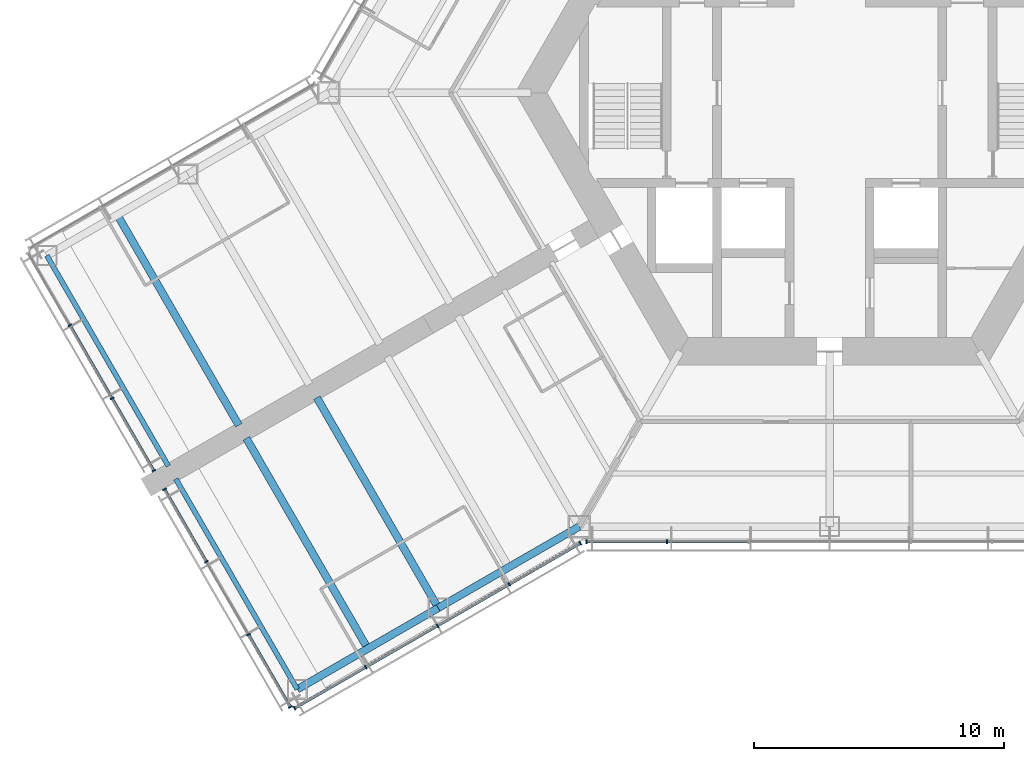
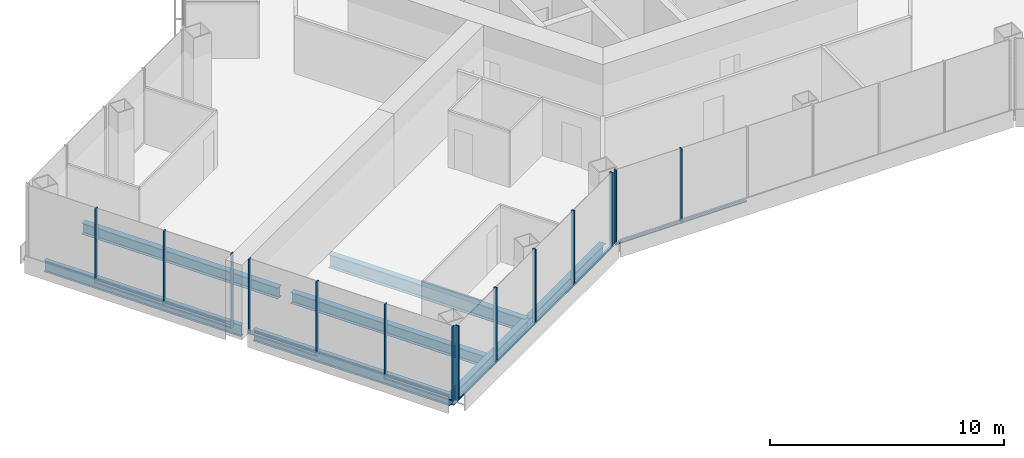
# One storey, part 2 of 18: 24 members, 7 beams, 4 elements without a shape of their own.
"""IFC4 building model written with IfcOpenShell, lengths in metres."""

from ifc_helpers import new_model, si_unit, direction, frame, origin, origin_2d, place, context, subcontext, project, spatial, rectangle, i_section, extrude, material, material_profile, profile_set, type_object, element, aggregate, save


model = new_model("IFC4")

# Units and contexts
model_context = context("Model", 3, precision=1e-05, world=origin(), true_north=direction((0.0, 1.0)))
body_context = subcontext(model_context, "Body", "Model", "MODEL_VIEW")
ifc_project = project(units=[si_unit("LENGTHUNIT", "METRE"), si_unit("AREAUNIT", "SQUARE_METRE"), si_unit("VOLUMEUNIT", "CUBIC_METRE"), si_unit("PLANEANGLEUNIT", "RADIAN"), si_unit("MASSUNIT", "GRAM", prefix="KILO")], contexts=[model_context])

# Site, building, storey
site_placement = place(None, origin())
site = spatial("IfcSite", under=ifc_project, at=site_placement, CompositionType="ELEMENT")
building_placement = place(site_placement, origin())
building = spatial("IfcBuilding", under=site, at=building_placement, Name="Kasaneha Research Tower", CompositionType="ELEMENT")
storey_placement = place(building_placement, frame((0.0, 0.0, 65.10009765625)))
storey = spatial("IfcBuildingStorey", under=building, at=storey_placement, Name="L16", CompositionType="ELEMENT", Elevation=65.10009765625)

# Beams
ifc_material_1 = material(Name="Steel SN490B", Category="steel")
ifc_material_profile_1 = material_profile(ifc_material_1, i_section(OverallWidth=0.300048828125, OverallDepth=0.58203125, WebThickness=0.011962890625, FlangeThickness=0.01708984375, FilletRadius=0.012939453125, at=origin_2d()), Name="H-582x300x12x17")
ifc_profile_set_1 = profile_set([ifc_material_profile_1], Name="Steel SN490B")
beam_type_1 = type_object("IfcBeamType", Name="B2-3 secondary beam H-582x300x12x17", PredefinedType="JOIST", material=ifc_profile_set_1)
for number, where, z_axis, x_axis, name in (
    (1, (-28.44384765625, -4.875, -0.441162109375), (0.500010041276, -0.866019606374, 0.0), (0.866019606374, 0.500010041276, 0.0), "Secondary beam WBBP2 L16"),
    (2, (-18.44384765625, -22.195556640625, -0.441162109375), (-0.499991164321, 0.866030505006, 0.0), (-0.866030505006, -0.499991164321, 0.0), "Secondary beam WBBN2 L16"),
):
    element("IfcBeam", number, at=place(storey_placement, frame(where, z_axis=z_axis, x_axis=x_axis)), inside=storey, type_object=beam_type_1, Name=name, PredefinedType="JOIST", context=body_context, shape_type="SweptSolid", body=[
        extrude(i_section(OverallWidth=0.300048828125, OverallDepth=0.58203125, WebThickness=0.011962890625, FlangeThickness=0.01708984375, FilletRadius=0.012939453125, at=origin_2d()), origin(), (0.0, 0.0, 1.0), 9.699951171875),
    ])

# Curtain wall, members
ifc_material_2 = material(Name="Glass and aluminium", Category="aluminium")
curtain_wall_type = type_object("IfcCurtainWallType", Name="Low-rise office curtain wall", PredefinedType="USERDEFINED", material=ifc_material_2)
curtain_wall_1_placement = place(storey_placement, origin())
curtain_wall_1 = element("IfcCurtainWall", 3, at=curtain_wall_1_placement, inside=storey, type_object=curtain_wall_type, Name="CW-O1 L16 run 01a", ObjectType="UNITISED CURTAIN WALL", PredefinedType="USERDEFINED")
ifc_material_3 = material(Name="Aluminium 6063-T6", Category="aluminium")
ifc_material_profile_2 = material_profile(ifc_material_3, rectangle(XDim=0.06005859375, YDim=0.159912109375, at=origin_2d()), Name="CW-O1 mullion 60x160")
ifc_profile_set_2 = profile_set([ifc_material_profile_2], Name="Aluminium 6063-T6")
member_type_1 = type_object("IfcMemberType", Name="CW-O1 mullion", PredefinedType="MULLION", material=ifc_profile_set_2)
member_1_placement = place(storey_placement, frame((-21.365478515625, -24.5751953125, 0.0), z_axis=(0.0, 0.0, 1.0), x_axis=(0.866025411464, 0.499999986699, 0.0)))
member_1 = element("IfcMember", 4, at=member_1_placement, type_object=member_type_1, Name="CW-O1 mullion 1", PredefinedType="MULLION", context=body_context, shape_type="SweptSolid", body=[
    extrude(rectangle(XDim=0.06005859375, YDim=0.159912109375, at=origin_2d()), origin(), (0.0, 0.0, 1.0), 3.89990234375),
])
member_2_placement = place(storey_placement, frame((-18.52490234375, -22.935302734375, 0.0), z_axis=(0.0, 0.0, 1.0), x_axis=(0.866025411464, 0.499999986699, 0.0)))
member_2 = element("IfcMember", 5, at=member_2_placement, type_object=member_type_1, Name="CW-O1 mullion 2", PredefinedType="MULLION", context=body_context, shape_type="SweptSolid", body=[
    extrude(rectangle(XDim=0.06005859375, YDim=0.159912109375, at=origin_2d()), origin(), (0.0, 0.0, 1.0), 3.89990234375),
])
member_3_placement = place(storey_placement, frame((-15.65869140625, -21.2802734375, 0.0), z_axis=(0.0, 0.0, 1.0), x_axis=(0.866025411464, 0.499999986699, 0.0)))
member_3 = element("IfcMember", 6, at=member_3_placement, type_object=member_type_1, Name="CW-O1 mullion 3", PredefinedType="MULLION", context=body_context, shape_type="SweptSolid", body=[
    extrude(rectangle(XDim=0.06005859375, YDim=0.159912109375, at=origin_2d()), origin(), (0.0, 0.0, 1.0), 3.89990234375),
])
member_4_placement = place(storey_placement, frame((-12.792236328125, -19.62548828125, 0.0), z_axis=(0.0, 0.0, 1.0), x_axis=(0.866025411464, 0.499999986699, 0.0)))
member_4 = element("IfcMember", 7, at=member_4_placement, type_object=member_type_1, Name="CW-O1 mullion 4", PredefinedType="MULLION", context=body_context, shape_type="SweptSolid", body=[
    extrude(rectangle(XDim=0.06005859375, YDim=0.159912109375, at=origin_2d()), origin(), (0.0, 0.0, 1.0), 3.89990234375),
])
member_5_placement = place(storey_placement, frame((-9.951904296875, -17.985595703125, 0.0), z_axis=(0.0, 0.0, 1.0), x_axis=(0.866025411464, 0.499999986699, 0.0)))
member_5 = element("IfcMember", 8, at=member_5_placement, type_object=member_type_1, Name="CW-O1 mullion 5", PredefinedType="MULLION", context=body_context, shape_type="SweptSolid", body=[
    extrude(rectangle(XDim=0.06005859375, YDim=0.159912109375, at=origin_2d()), origin(), (0.0, 0.0, 1.0), 3.89990234375),
])

curtain_wall_2_placement = place(storey_placement, origin())
curtain_wall_2 = element("IfcCurtainWall", 9, at=curtain_wall_2_placement, inside=storey, type_object=curtain_wall_type, Name="CW-O1 L16 run 02a", ObjectType="UNITISED CURTAIN WALL", PredefinedType="USERDEFINED")
member_6_placement = place(storey_placement, frame((-9.709228515625, -17.92041015625, 0.0), z_axis=(0.0, 0.0, 1.0), x_axis=(1.0, 0.0, 0.0)))
member_6 = element("IfcMember", 10, at=member_6_placement, type_object=member_type_1, Name="CW-O1 mullion 1", PredefinedType="MULLION", context=body_context, shape_type="SweptSolid", body=[
    extrude(rectangle(XDim=0.06005859375, YDim=0.159912109375, at=origin_2d()), origin(), (0.0, 0.0, 1.0), 3.89990234375),
])
member_7_placement = place(storey_placement, frame((-6.492919921875, -17.92041015625, 0.0), z_axis=(0.0, 0.0, 1.0), x_axis=(1.0, 0.0, 0.0)))
member_7 = element("IfcMember", 11, at=member_7_placement, type_object=member_type_1, Name="CW-O1 mullion 2", PredefinedType="MULLION", context=body_context, shape_type="SweptSolid", body=[
    extrude(rectangle(XDim=0.06005859375, YDim=0.159912109375, at=origin_2d()), origin(), (0.0, 0.0, 1.0), 3.89990234375),
])

curtain_wall_3_placement = place(storey_placement, origin())
curtain_wall_3 = element("IfcCurtainWall", 12, at=curtain_wall_3_placement, inside=storey, type_object=curtain_wall_type, Name="CW-O1 L16 run 14a", ObjectType="UNITISED CURTAIN WALL", PredefinedType="USERDEFINED")
member_8_placement = place(storey_placement, frame((-30.3447265625, -9.28271484375, 0.0), z_axis=(0.0, 0.0, 1.0), x_axis=(0.500000011442, -0.866025397178, 0.0)))
member_8 = element("IfcMember", 13, at=member_8_placement, type_object=member_type_1, Name="CW-O1 mullion 2", PredefinedType="MULLION", context=body_context, shape_type="SweptSolid", body=[
    extrude(rectangle(XDim=0.06005859375, YDim=0.159912109375, at=origin_2d()), origin(), (0.0, 0.0, 1.0), 3.89990234375),
])
member_9_placement = place(storey_placement, frame((-28.661376953125, -12.1982421875, 0.0), z_axis=(0.0, 0.0, 1.0), x_axis=(0.500000011442, -0.866025397178, 0.0)))
member_9 = element("IfcMember", 14, at=member_9_placement, type_object=member_type_1, Name="CW-O1 mullion 3", PredefinedType="MULLION", context=body_context, shape_type="SweptSolid", body=[
    extrude(rectangle(XDim=0.06005859375, YDim=0.159912109375, at=origin_2d()), origin(), (0.0, 0.0, 1.0), 3.89990234375),
])
member_10_placement = place(storey_placement, frame((-26.992919921875, -15.087890625, 0.0), z_axis=(0.0, 0.0, 1.0), x_axis=(0.500000011442, -0.866025397178, 0.0)))
member_10 = element("IfcMember", 15, at=member_10_placement, type_object=member_type_1, Name="CW-O1 mullion 4", PredefinedType="MULLION", context=body_context, shape_type="SweptSolid", body=[
    extrude(rectangle(XDim=0.06005859375, YDim=0.159912109375, at=origin_2d()), origin(), (0.0, 0.0, 1.0), 3.89990234375),
])

curtain_wall_4_placement = place(storey_placement, origin())
curtain_wall_4 = element("IfcCurtainWall", 16, at=curtain_wall_4_placement, inside=storey, type_object=curtain_wall_type, Name="CW-O1 L16 run 15a", ObjectType="UNITISED CURTAIN WALL", PredefinedType="USERDEFINED")
member_11_placement = place(storey_placement, frame((-26.56298828125, -15.832763671875, 0.0), z_axis=(0.0, 0.0, 1.0), x_axis=(0.500000011442, -0.866025397178, 0.0)))
member_11 = element("IfcMember", 17, at=member_11_placement, type_object=member_type_1, Name="CW-O1 mullion 1", PredefinedType="MULLION", context=body_context, shape_type="SweptSolid", body=[
    extrude(rectangle(XDim=0.06005859375, YDim=0.159912109375, at=origin_2d()), origin(), (0.0, 0.0, 1.0), 3.89990234375),
])
member_12_placement = place(storey_placement, frame((-24.89453125, -18.72216796875, 0.0), z_axis=(0.0, 0.0, 1.0), x_axis=(0.500000011442, -0.866025397178, 0.0)))
member_12 = element("IfcMember", 18, at=member_12_placement, type_object=member_type_1, Name="CW-O1 mullion 2", PredefinedType="MULLION", context=body_context, shape_type="SweptSolid", body=[
    extrude(rectangle(XDim=0.06005859375, YDim=0.159912109375, at=origin_2d()), origin(), (0.0, 0.0, 1.0), 3.89990234375),
])
member_13_placement = place(storey_placement, frame((-23.211181640625, -21.637939453125, 0.0), z_axis=(0.0, 0.0, 1.0), x_axis=(0.500000011442, -0.866025397178, 0.0)))
member_13 = element("IfcMember", 19, at=member_13_placement, type_object=member_type_1, Name="CW-O1 mullion 3", PredefinedType="MULLION", context=body_context, shape_type="SweptSolid", body=[
    extrude(rectangle(XDim=0.06005859375, YDim=0.159912109375, at=origin_2d()), origin(), (0.0, 0.0, 1.0), 3.89990234375),
])
member_14_placement = place(storey_placement, frame((-21.54296875, -24.527587890625, 0.0), z_axis=(0.0, 0.0, 1.0), x_axis=(0.500000011442, -0.866025397178, 0.0)))
member_14 = element("IfcMember", 20, at=member_14_placement, type_object=member_type_1, Name="CW-O1 mullion 4", PredefinedType="MULLION", context=body_context, shape_type="SweptSolid", body=[
    extrude(rectangle(XDim=0.06005859375, YDim=0.159912109375, at=origin_2d()), origin(), (0.0, 0.0, 1.0), 3.89990234375),
])

# Member
ifc_material_4 = material(Name="Aluminium 6063-T6", Category="aluminium")
ifc_material_profile_3 = material_profile(ifc_material_4, rectangle(XDim=0.1201171875, YDim=0.06005859375, at=origin_2d()), Name="CW-O1 transom 120x60")
ifc_profile_set_3 = profile_set([ifc_material_profile_3], Name="Aluminium 6063-T6")
member_type_2 = type_object("IfcMemberType", Name="CW-O1 transom", PredefinedType="USERDEFINED", material=ifc_profile_set_3)
member_15_placement = place(storey_placement, frame((-21.33935546875, -24.56005859375, 0.02978515625), z_axis=(0.866022692473, 0.500004696101, 0.0), x_axis=(-0.500004696101, 0.866022692473, 0.0)))
member_15 = element("IfcMember", 21, at=member_15_placement, type_object=member_type_2, Name="CW-O1 transom 1", ObjectType="TRANSOM", PredefinedType="USERDEFINED", context=body_context, shape_type="SweptSolid", body=[
    extrude(rectangle(XDim=0.1201171875, YDim=0.06005859375, at=origin_2d()), origin(), (0.0, 0.0, 1.0), 3.2197265625),
])

member_16_placement = place(storey_placement, frame((-18.4990234375, -22.920166015625, 0.02978515625), z_axis=(0.86604797581, 0.499960902066, 0.0), x_axis=(-0.499960902066, 0.86604797581, 0.0)))
member_16 = element("IfcMember", 22, at=member_16_placement, type_object=member_type_2, Name="CW-O1 transom 2", ObjectType="TRANSOM", PredefinedType="USERDEFINED", context=body_context, shape_type="SweptSolid", body=[
    extrude(rectangle(XDim=0.1201171875, YDim=0.06005859375, at=origin_2d()), origin(), (0.0, 0.0, 1.0), 3.249755859375),
])

member_17_placement = place(storey_placement, frame((-15.632568359375, -21.265380859375, 0.02978515625), z_axis=(0.866015446554, 0.500017246033, 0.0), x_axis=(-0.500017246033, 0.866015446554, 0.0)))
member_17 = element("IfcMember", 23, at=member_17_placement, type_object=member_type_2, Name="CW-O1 transom 3", ObjectType="TRANSOM", PredefinedType="USERDEFINED", context=body_context, shape_type="SweptSolid", body=[
    extrude(rectangle(XDim=0.1201171875, YDim=0.06005859375, at=origin_2d()), origin(), (0.0, 0.0, 1.0), 3.25),
])

member_18_placement = place(storey_placement, frame((-12.76611328125, -19.6103515625, 0.02978515625), z_axis=(0.866022692473, 0.500004696101, 0.0), x_axis=(-0.500004696101, 0.866022692473, 0.0)))
member_18 = element("IfcMember", 24, at=member_18_placement, type_object=member_type_2, Name="CW-O1 transom 4", ObjectType="TRANSOM", PredefinedType="USERDEFINED", context=body_context, shape_type="SweptSolid", body=[
    extrude(rectangle(XDim=0.1201171875, YDim=0.06005859375, at=origin_2d()), origin(), (0.0, 0.0, 1.0), 3.2197265625),
])

aggregate(curtain_wall_1, [member_1, member_2, member_3, member_4, member_5, member_15, member_16, member_17, member_18])

member_19_placement = place(storey_placement, frame((-9.67919921875, -17.92041015625, 0.02978515625), z_axis=(1.0, 0.0, 0.0), x_axis=(0.0, 1.0, 0.0)))
member_19 = element("IfcMember", 25, at=member_19_placement, type_object=member_type_2, Name="CW-O1 transom 1", ObjectType="TRANSOM", PredefinedType="USERDEFINED", context=body_context, shape_type="SweptSolid", body=[
    extrude(rectangle(XDim=0.1201171875, YDim=0.06005859375, at=origin_2d()), origin(), (0.0, 0.0, 1.0), 3.156494140625),
])

member_20_placement = place(storey_placement, frame((-6.462890625, -17.92041015625, 0.02978515625), z_axis=(1.0, 0.0, 0.0), x_axis=(0.0, 1.0, 0.0)))
member_20 = element("IfcMember", 26, at=member_20_placement, type_object=member_type_2, Name="CW-O1 transom 2", ObjectType="TRANSOM", PredefinedType="USERDEFINED", context=body_context, shape_type="SweptSolid", body=[
    extrude(rectangle(XDim=0.1201171875, YDim=0.06005859375, at=origin_2d()), origin(), (0.0, 0.0, 1.0), 3.1865234375),
])

aggregate(curtain_wall_2, [member_6, member_7, member_19, member_20])

member_21_placement = place(storey_placement, frame((-30.32958984375, -9.30859375, 0.02978515625), z_axis=(0.499982354831, -0.866035590988, 0.0), x_axis=(0.866035590988, 0.499982354831, 0.0)))
member_21 = element("IfcMember", 27, at=member_21_placement, type_object=member_type_2, Name="CW-O1 transom 2", ObjectType="TRANSOM", PredefinedType="USERDEFINED", context=body_context, shape_type="SweptSolid", body=[
    extrude(rectangle(XDim=0.1201171875, YDim=0.06005859375, at=origin_2d()), origin(), (0.0, 0.0, 1.0), 3.306640625),
])

member_22_placement = place(storey_placement, frame((-28.646240234375, -12.22412109375, 0.02978515625), z_axis=(0.499969700927, -0.866042896256, 0.0), x_axis=(0.866042896256, 0.499969700927, 0.0)))
member_22 = element("IfcMember", 28, at=member_22_placement, type_object=member_type_2, Name="CW-O1 transom 3", ObjectType="TRANSOM", PredefinedType="USERDEFINED", context=body_context, shape_type="SweptSolid", body=[
    extrude(rectangle(XDim=0.1201171875, YDim=0.06005859375, at=origin_2d()), origin(), (0.0, 0.0, 1.0), 3.276611328125),
])

aggregate(curtain_wall_3, [member_8, member_9, member_10, member_21, member_22])

member_23_placement = place(storey_placement, frame((-26.5478515625, -15.858642578125, 0.02978515625), z_axis=(0.499969700927, -0.866042896256, 0.0), x_axis=(0.866042896256, 0.499969700927, 0.0)))
member_23 = element("IfcMember", 29, at=member_23_placement, type_object=member_type_2, Name="CW-O1 transom 1", ObjectType="TRANSOM", PredefinedType="USERDEFINED", context=body_context, shape_type="SweptSolid", body=[
    extrude(rectangle(XDim=0.1201171875, YDim=0.06005859375, at=origin_2d()), origin(), (0.0, 0.0, 1.0), 3.276611328125),
])

member_24_placement = place(storey_placement, frame((-23.1962890625, -21.663818359375, 0.02978515625), z_axis=(0.500025583411, -0.866010632691, 0.0), x_axis=(0.866010632691, 0.500025583411, 0.0)))
member_24 = element("IfcMember", 30, at=member_24_placement, type_object=member_type_2, Name="CW-O1 transom 3", ObjectType="TRANSOM", PredefinedType="USERDEFINED", context=body_context, shape_type="SweptSolid", body=[
    extrude(rectangle(XDim=0.1201171875, YDim=0.06005859375, at=origin_2d()), origin(), (0.0, 0.0, 1.0), 3.276611328125),
])

aggregate(curtain_wall_4, [member_11, member_12, member_13, member_14, member_23, member_24])

# Beams
ifc_material_5 = material(Name="Steel SN490B", Category="steel")
ifc_material_profile_4 = material_profile(ifc_material_5, i_section(OverallWidth=0.300048828125, OverallDepth=0.699951171875, WebThickness=0.012939453125, FlangeThickness=0.02392578125, FilletRadius=0.01806640625, at=origin_2d()), Name="H-700x300x13x24")
ifc_profile_set_4 = profile_set([ifc_material_profile_4], Name="Steel SN490B")
beam_type_2 = type_object("IfcBeamType", Name="G4-3 wing girder H-700x300x13x24", PredefinedType="BEAM", material=ifc_profile_set_4)
beam_placement = place(storey_placement, frame((-15.629150390625, -20.570556640625, -0.5), z_axis=(-0.500010041276, 0.866019606374, 0.0), x_axis=(-0.866019606374, -0.500010041276, 0.0)))
element("IfcBeam", 31, at=beam_placement, inside=storey, type_object=beam_type_2, Name="Wing girder WGBN L16", PredefinedType="BEAM", context=body_context, shape_type="SweptSolid", body=[
    extrude(i_section(OverallWidth=0.300048828125, OverallDepth=0.699951171875, WebThickness=0.012939453125, FlangeThickness=0.02392578125, FilletRadius=0.01806640625, at=origin_2d()), origin(), (0.0, 0.0, 1.0), 9.699951171875),
])
ifc_material_6 = material(Name="Steel SN490B", Category="steel")
ifc_material_profile_5 = material_profile(ifc_material_6, i_section(OverallWidth=0.300048828125, OverallDepth=0.58203125, WebThickness=0.011962890625, FlangeThickness=0.01708984375, FilletRadius=0.012939453125, at=origin_2d()), Name="H-582x300x12x17")
ifc_profile_set_5 = profile_set([ifc_material_profile_5], Name="Steel SN490B")
beam_type_3 = type_object("IfcBeamType", Name="SB2-3 spandrel beam H-582x300x12x17", PredefinedType="SPANDREL", material=ifc_profile_set_5)
for number, where, z_axis, x_axis, name in (
    (32, (-10.0, -17.320556640625, -0.441162109375), (-0.866024837091, -0.50000098154, 0.0), (0.50000098154, -0.866024837091, 0.0), "Spandrel beam WSBN1 L16"),
    (33, (-15.629150390625, -20.570556640625, -0.441162109375), (-0.866024837091, -0.50000098154, 0.0), (0.50000098154, -0.866024837091, 0.0), "Spandrel beam WSBN2 L16"),
):
    element("IfcBeam", number, at=place(storey_placement, frame(where, z_axis=z_axis, x_axis=x_axis)), inside=storey, type_object=beam_type_3, Name=name, PredefinedType="SPANDREL", context=body_context, shape_type="SweptSolid", body=[
        extrude(i_section(OverallWidth=0.300048828125, OverallDepth=0.58203125, WebThickness=0.011962890625, FlangeThickness=0.01708984375, FilletRadius=0.012939453125, at=origin_2d()), origin(), (0.0, 0.0, 1.0), 6.5),
    ])
ifc_material_7 = material(Name="Steel SN490B", Category="steel")
ifc_material_profile_6 = material_profile(ifc_material_7, i_section(OverallWidth=0.199951171875, OverallDepth=0.60009765625, WebThickness=0.010986328125, FlangeThickness=0.01708984375, FilletRadius=0.012939453125, at=origin_2d()), Name="H-600x200x11x17")
ifc_profile_set_6 = profile_set([ifc_material_profile_6], Name="Steel SN490B")
beam_type_4 = type_object("IfcBeamType", Name="SB3-3 spandrel beam H-600x200x11x17", PredefinedType="SPANDREL", material=ifc_profile_set_6)
for number, where, z_axis, x_axis, name in (
    (34, (-31.25830078125, -6.5, -0.4501953125), (0.499991164321, -0.866030505006, 0.0), (0.866030505006, 0.499991164321, 0.0), "Spandrel beam WTBP L16"),
    (35, (-21.25830078125, -23.820556640625, -0.4501953125), (-0.500010041276, 0.866019606374, 0.0), (-0.866019606374, -0.500010041276, 0.0), "Spandrel beam WTBN L16"),
):
    element("IfcBeam", number, at=place(storey_placement, frame(where, z_axis=z_axis, x_axis=x_axis)), inside=storey, type_object=beam_type_4, Name=name, PredefinedType="SPANDREL", context=body_context, shape_type="SweptSolid", body=[
        extrude(i_section(OverallWidth=0.199951171875, OverallDepth=0.60009765625, WebThickness=0.010986328125, FlangeThickness=0.01708984375, FilletRadius=0.012939453125, at=origin_2d()), origin(), (0.0, 0.0, 1.0), 9.699951171875),
    ])

save(model, "model.ifc")
